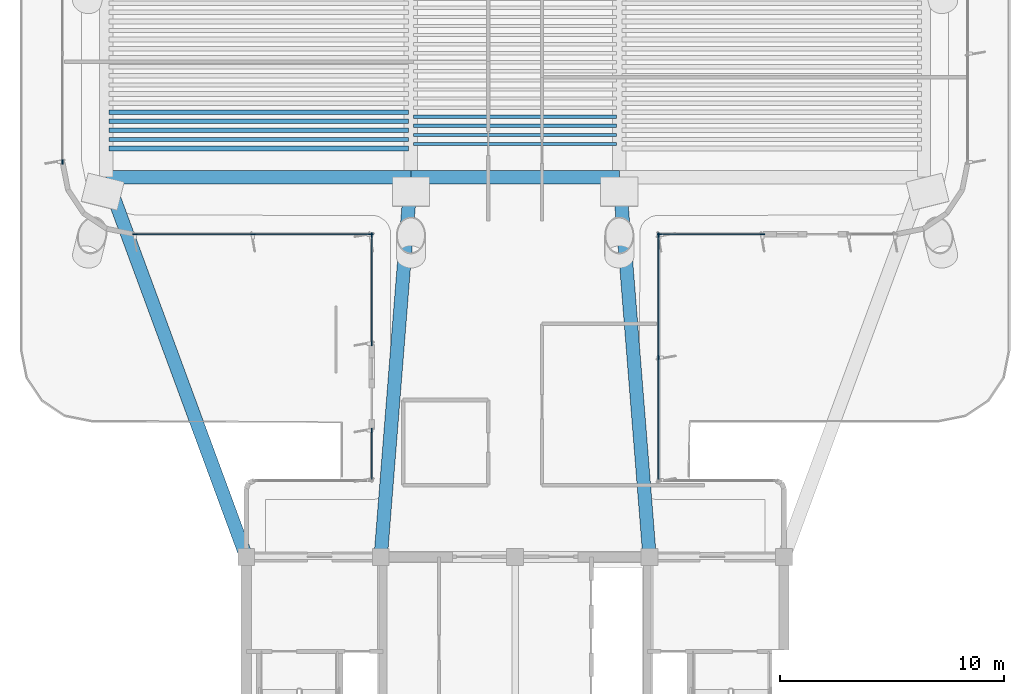
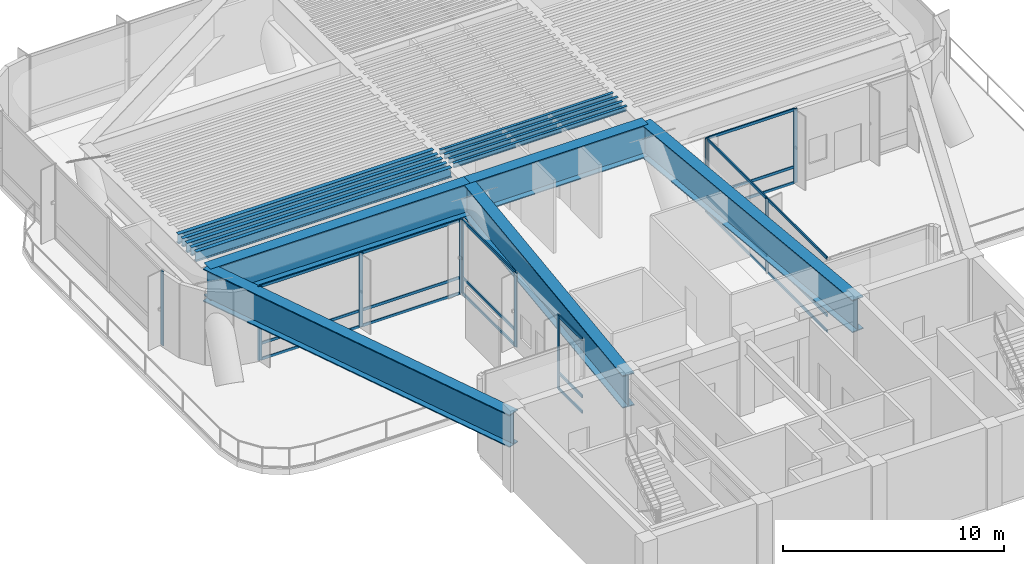
# One storey, part 3 of 13: 32 members, 14 beams, 6 elements without a shape of their own.
"""IFC4 building model written with IfcOpenShell, lengths in metres."""

from ifc_helpers import new_model, si_unit, direction, frame, origin, origin_2d, place, context, subcontext, project, spatial, rectangle, i_section, extrude, source, transform, mapped, material, layer, layer_set, material_profile, profile_set, type_object, element, aggregate, save


model = new_model("IFC4")

# Units and contexts
model_context = context("Model", 3, precision=1e-05, world=origin(), true_north=direction((0.0, 1.0)))
body_context = subcontext(model_context, "Body", "Model", "MODEL_VIEW")
ifc_project = project(units=[si_unit("LENGTHUNIT", "METRE"), si_unit("AREAUNIT", "SQUARE_METRE"), si_unit("VOLUMEUNIT", "CUBIC_METRE"), si_unit("PLANEANGLEUNIT", "RADIAN"), si_unit("MASSUNIT", "GRAM", prefix="KILO")], contexts=[model_context])

# Site, building, storey
site_placement = place(None, origin())
site = spatial("IfcSite", under=ifc_project, at=site_placement, CompositionType="ELEMENT")
building_placement = place(site_placement, origin())
building = spatial("IfcBuilding", under=site, at=building_placement, Name="Brelvock Crest Care Tower", CompositionType="ELEMENT")
storey_placement = place(building_placement, frame((0.0, 0.0, 151.919921875)))
storey = spatial("IfcBuildingStorey", under=building, at=storey_placement, Name="L38", CompositionType="ELEMENT", Elevation=151.919921875)

# Beams
ifc_material_1 = material(Name="Steel Grade 350", Category="steel")
ifc_material_profile_1 = material_profile(ifc_material_1, i_section(OverallWidth=0.60009765625, OverallDepth=1.800048828125, WebThickness=0.028076171875, FlangeThickness=0.052001953125, at=origin_2d()), Name="1800TG740")
ifc_profile_set_1 = profile_set([ifc_material_profile_1], Name="Steel Grade 350")
beam_type_1 = type_object("IfcBeamType", Name="BM-TG1", PredefinedType="USERDEFINED", material=ifc_profile_set_1)
shared_shape_1 = source(origin(), body_context, "Body", "SweptSolid", [
    extrude(i_section(OverallWidth=0.60009765625, OverallDepth=1.800048828125, WebThickness=0.028076171875, FlangeThickness=0.052001953125, at=origin_2d()), origin(), (0.0, 0.0, 1.0), 9.2998046875),
])
beam_1_placement = place(storey_placement, frame((31.35009765625, 34.949951171875, 3.192138671875), z_axis=(1.0, 0.0, 0.0), x_axis=(0.0, 1.0, 0.0)))
element("IfcBeam", 1, at=beam_1_placement, inside=storey, type_object=beam_type_1, Name="BM-TWR-L38-05", ObjectType="GIRDER", PredefinedType="USERDEFINED", context=body_context, shape_type="MappedRepresentation", body=[
    mapped(shared_shape_1, transform((0.0, 0.0, 0.0), x_axis=(1.0, 0.0, 0.0), y_axis=(0.0, 1.0, 0.0), z_axis=(0.0, 0.0, 1.0), scale=1.0)),
])
ifc_material_profile_2 = material_profile(ifc_material_1, i_section(OverallWidth=0.14599609375, OverallDepth=0.256103515625, WebThickness=0.00634765625, FlangeThickness=0.010986328125, FilletRadius=0.0087890625, at=origin_2d()), Name="250UB37.3")
ifc_profile_set_2 = profile_set([ifc_material_profile_2], Name="Steel Grade 350")
beam_type_2 = type_object("IfcBeamType", Name="BM-J3", PredefinedType="JOIST", material=ifc_profile_set_2)
shared_shape_2 = source(origin(), body_context, "Body", "SweptSolid", [
    extrude(i_section(OverallWidth=0.14599609375, OverallDepth=0.256103515625, WebThickness=0.00634765625, FlangeThickness=0.010986328125, FilletRadius=0.0087890625, at=origin_2d()), origin(), (0.0, 0.0, 1.0), 9.06982421875),
])
for number, where, z_axis, x_axis, name in (
    (2, (31.465087890625, 36.42919921875, 3.964111328125), (1.0, 0.0, 0.0), (0.0, 1.0, 0.0), "BM-JH-L38-3"),
    (3, (31.465087890625, 36.834228515625, 3.964111328125), (1.0, 0.0, 0.0), (0.0, 1.0, 0.0), "BM-JH-L38-4"),
    (4, (31.465087890625, 37.239501953125, 3.964111328125), (1.0, 0.0, 0.0), (0.0, 1.0, 0.0), "BM-JH-L38-5"),
    (5, (31.465087890625, 37.64453125, 3.964111328125), (1.0, 0.0, 0.0), (0.0, 1.0, 0.0), "BM-JH-L38-6"),
):
    element("IfcBeam", number, at=place(storey_placement, frame(where, z_axis=z_axis, x_axis=x_axis)), inside=storey, type_object=beam_type_2, Name=name, PredefinedType="JOIST", context=body_context, shape_type="MappedRepresentation", body=[
        mapped(shared_shape_2, transform((0.0, 0.0, 0.0), x_axis=(1.0, 0.0, 0.0), y_axis=(0.0, 1.0, 0.0), z_axis=(0.0, 0.0, 1.0), scale=1.0)),
    ])
shared_shape_3 = source(origin(), body_context, "Body", "SweptSolid", [
    extrude(i_section(OverallWidth=0.60009765625, OverallDepth=1.800048828125, WebThickness=0.028076171875, FlangeThickness=0.052001953125, at=origin_2d()), origin(), (0.0, 0.0, 1.0), 13.60009765625),
])
beam_2_placement = place(storey_placement, frame((17.75, 34.949951171875, 3.192138671875), z_axis=(1.0, 0.0, 0.0), x_axis=(0.0, 1.0, 0.0)))
element("IfcBeam", 6, at=beam_2_placement, inside=storey, type_object=beam_type_1, Name="BM-TWR-L38-03", ObjectType="GIRDER", PredefinedType="USERDEFINED", context=body_context, shape_type="MappedRepresentation", body=[
    mapped(shared_shape_3, transform((0.0, 0.0, 0.0), x_axis=(1.0, 0.0, 0.0), y_axis=(0.0, 1.0, 0.0), z_axis=(0.0, 0.0, 1.0), scale=1.0)),
])
shared_shape_4 = source(origin(), body_context, "Body", "SweptSolid", [
    extrude(i_section(OverallWidth=0.60009765625, OverallDepth=1.800048828125, WebThickness=0.028076171875, FlangeThickness=0.052001953125, at=origin_2d()), origin(), (0.0, 0.0, 1.0), 17.003662109375),
])
for number, where, z_axis, x_axis, name in (
    (7, (30.0, 18.0, 3.192138671875), (0.079400530776, 0.996842793881, 0.0), (-0.996842793881, 0.079400530776, 0.0), "BM-THRW-L38"),
    (8, (42.0, 18.0, 3.192138671875), (-0.079400530776, 0.996842793881, 0.0), (-0.996842793881, -0.079400530776, 0.0), "BM-THRE-L38"),
):
    element("IfcBeam", number, at=place(storey_placement, frame(where, z_axis=z_axis, x_axis=x_axis)), inside=storey, type_object=beam_type_1, Name=name, ObjectType="GIRDER", PredefinedType="USERDEFINED", context=body_context, shape_type="MappedRepresentation", body=[
        mapped(shared_shape_4, transform((0.0, 0.0, 0.0), x_axis=(1.0, 0.0, 0.0), y_axis=(0.0, 1.0, 0.0), z_axis=(0.0, 0.0, 1.0), scale=1.0)),
    ])
shared_shape_5 = source(origin(), body_context, "Body", "SweptSolid", [
    extrude(i_section(OverallWidth=0.60009765625, OverallDepth=1.800048828125, WebThickness=0.028076171875, FlangeThickness=0.052001953125, at=origin_2d()), origin(), (0.0, 0.0, 1.0), 18.0654296875),
])
beam_3_placement = place(storey_placement, frame((24.0, 18.0, 3.192138671875), z_axis=(-0.345962741309, 0.938248251597, 0.0), x_axis=(-0.938248251597, -0.345962741309, 0.0)))
element("IfcBeam", 9, at=beam_3_placement, inside=storey, type_object=beam_type_1, Name="BM-THRO-W-L38", ObjectType="GIRDER", PredefinedType="USERDEFINED", context=body_context, shape_type="MappedRepresentation", body=[
    mapped(shared_shape_5, transform((0.0, 0.0, 0.0), x_axis=(1.0, 0.0, 0.0), y_axis=(0.0, 1.0, 0.0), z_axis=(0.0, 0.0, 1.0), scale=1.0)),
])
ifc_material_profile_3 = material_profile(ifc_material_1, i_section(OverallWidth=0.208984375, OverallDepth=0.532958984375, WebThickness=0.01025390625, FlangeThickness=0.015625, FilletRadius=0.013916015625, at=origin_2d()), Name="530UB92.4")
ifc_profile_set_3 = profile_set([ifc_material_profile_3], Name="Steel Grade 350")
beam_type_3 = type_object("IfcBeamType", Name="BM-G2", PredefinedType="BEAM", material=ifc_profile_set_3)
shared_shape_6 = source(origin(), body_context, "Body", "SweptSolid", [
    extrude(i_section(OverallWidth=0.208984375, OverallDepth=0.532958984375, WebThickness=0.01025390625, FlangeThickness=0.015625, FilletRadius=0.013916015625, at=origin_2d()), origin(), (0.0, 0.0, 1.0), 13.3701171875),
])
for number, where, z_axis, x_axis, name in (
    (10, (17.864990234375, 36.2265625, 3.82568359375), (1.0, 0.0, 0.0), (0.0, 1.0, 0.0), "BM-JW-L38-3"),
    (11, (17.864990234375, 37.036865234375, 3.82568359375), (1.0, 0.0, 0.0), (0.0, 1.0, 0.0), "BM-JW-L38-5"),
    (12, (17.864990234375, 37.84716796875, 3.82568359375), (1.0, 0.0, 0.0), (0.0, 1.0, 0.0), "BM-JW-L38-7"),
):
    element("IfcBeam", number, at=place(storey_placement, frame(where, z_axis=z_axis, x_axis=x_axis)), inside=storey, type_object=beam_type_3, Name=name, PredefinedType="BEAM", context=body_context, shape_type="MappedRepresentation", body=[
        mapped(shared_shape_6, transform((0.0, 0.0, 0.0), x_axis=(1.0, 0.0, 0.0), y_axis=(0.0, 1.0, 0.0), z_axis=(0.0, 0.0, 1.0), scale=1.0)),
    ])
ifc_material_profile_4 = material_profile(ifc_material_1, i_section(OverallWidth=0.19091796875, OverallDepth=0.4599609375, WebThickness=0.010009765625, FlangeThickness=0.01611328125, FilletRadius=0.011474609375, at=origin_2d()), Name="460UB82.1")
ifc_profile_set_4 = profile_set([ifc_material_profile_4], Name="Steel Grade 350")
beam_type_4 = type_object("IfcBeamType", Name="BM-G3", PredefinedType="BEAM", material=ifc_profile_set_4)
shared_shape_7 = source(origin(), body_context, "Body", "SweptSolid", [
    extrude(i_section(OverallWidth=0.19091796875, OverallDepth=0.4599609375, WebThickness=0.010009765625, FlangeThickness=0.01611328125, FilletRadius=0.011474609375, at=origin_2d()), origin(), (0.0, 0.0, 1.0), 13.3701171875),
])
for number, where, z_axis, x_axis, name in (
    (13, (17.864990234375, 36.631591796875, 3.862060546875), (1.0, 0.0, 0.0), (0.0, 1.0, 0.0), "BM-JW-L38-4"),
    (14, (17.864990234375, 37.44189453125, 3.862060546875), (1.0, 0.0, 0.0), (0.0, 1.0, 0.0), "BM-JW-L38-6"),
):
    element("IfcBeam", number, at=place(storey_placement, frame(where, z_axis=z_axis, x_axis=x_axis)), inside=storey, type_object=beam_type_4, Name=name, PredefinedType="BEAM", context=body_context, shape_type="MappedRepresentation", body=[
        mapped(shared_shape_7, transform((0.0, 0.0, 0.0), x_axis=(1.0, 0.0, 0.0), y_axis=(0.0, 1.0, 0.0), z_axis=(0.0, 0.0, 1.0), scale=1.0)),
    ])

# Curtain wall, member
ifc_material_2 = material(Name="Dark Glass Double Glazed Low-E", Category="glass")
ifc_layer = layer(ifc_material_2, 0.2548828125, Name="CWS-6")
ifc_layer_set = layer_set([ifc_layer], Name="Dark Glass Double Glazed Low-E")
curtain_wall_type = type_object("IfcCurtainWallType", Name="CWS-6", PredefinedType="NOTDEFINED", material=ifc_layer_set)
curtain_wall_1_placement = place(storey_placement, origin())
curtain_wall_1 = element("IfcCurtainWall", 15, at=curtain_wall_1_placement, inside=storey, type_object=curtain_wall_type, Name="L38 Curtain Wall E11A", PredefinedType="NOTDEFINED")
ifc_material_3 = material(Name="Aluminium 6063-T6", Category="aluminium")
ifc_material_profile_5 = material_profile(ifc_material_3, rectangle(XDim=0.06494140625, YDim=0.199951171875, at=origin_2d()), Name="ALU65x200")
ifc_profile_set_5 = profile_set([ifc_material_profile_5], Name="Aluminium 6063-T6")
member_type_1 = type_object("IfcMemberType", Name="CWM-1", PredefinedType="MULLION", material=ifc_profile_set_5)
shared_shape_8 = source(origin(), body_context, "Body", "SweptSolid", [
    extrude(rectangle(XDim=0.06494140625, YDim=0.199951171875, at=origin_2d()), origin(), (0.0, 0.0, 1.0), 4.092041015625),
])
member_1_placement = place(storey_placement, frame((29.60009765625, 23.6474609375, 0.0), z_axis=(0.0, 0.0, 1.0), x_axis=(-1.0, 0.0, 0.0)))
member_1 = element("IfcMember", 16, at=member_1_placement, type_object=member_type_1, Name="CW-6 mullion 2", PredefinedType="MULLION", context=body_context, shape_type="MappedRepresentation", body=[
    mapped(shared_shape_8, transform((0.0, 0.0, 0.0), x_axis=(1.0, 0.0, 0.0), y_axis=(0.0, 1.0, 0.0), z_axis=(0.0, 0.0, 1.0), scale=1.0)),
])

# Curtain wall, members
curtain_wall_2_placement = place(storey_placement, origin())
curtain_wall_2 = element("IfcCurtainWall", 17, at=curtain_wall_2_placement, inside=storey, type_object=curtain_wall_type, Name="L38 Curtain Wall E11B", PredefinedType="NOTDEFINED")
member_2_placement = place(storey_placement, frame((29.60009765625, 27.512451171875, 0.0), z_axis=(0.0, 0.0, 1.0), x_axis=(-1.0, 0.0, 0.0)))
member_2 = element("IfcMember", 18, at=member_2_placement, type_object=member_type_1, Name="CW-6 mullion 1", PredefinedType="MULLION", context=body_context, shape_type="MappedRepresentation", body=[
    mapped(shared_shape_8, transform((0.0, 0.0, 0.0), x_axis=(1.0, 0.0, 0.0), y_axis=(0.0, 1.0, 0.0), z_axis=(0.0, 0.0, 1.0), scale=1.0)),
])
member_3_placement = place(storey_placement, frame((29.60009765625, 32.367431640625, 0.0), z_axis=(0.0, 0.0, 1.0), x_axis=(-1.0, 0.0, 0.0)))
member_3 = element("IfcMember", 19, at=member_3_placement, type_object=member_type_1, Name="CW-6 mullion 2", PredefinedType="MULLION", context=body_context, shape_type="MappedRepresentation", body=[
    mapped(shared_shape_8, transform((0.0, 0.0, 0.0), x_axis=(1.0, 0.0, 0.0), y_axis=(0.0, 1.0, 0.0), z_axis=(0.0, 0.0, 1.0), scale=1.0)),
])

curtain_wall_3_placement = place(storey_placement, origin())
curtain_wall_3 = element("IfcCurtainWall", 20, at=curtain_wall_3_placement, inside=storey, type_object=curtain_wall_type, Name="L38 Curtain Wall E12", PredefinedType="NOTDEFINED")
member_4_placement = place(storey_placement, frame((29.5673828125, 32.39990234375, 0.0), z_axis=(0.0, 0.0, 1.0), x_axis=(0.0, -1.0, 0.0)))
member_4 = element("IfcMember", 21, at=member_4_placement, type_object=member_type_1, Name="CW-6 mullion 1", PredefinedType="MULLION", context=body_context, shape_type="MappedRepresentation", body=[
    mapped(shared_shape_8, transform((0.0, 0.0, 0.0), x_axis=(1.0, 0.0, 0.0), y_axis=(0.0, 1.0, 0.0), z_axis=(0.0, 0.0, 1.0), scale=1.0)),
])
member_5_placement = place(storey_placement, frame((24.300048828125, 32.39990234375, 0.0), z_axis=(0.0, 0.0, 1.0), x_axis=(0.0, -1.0, 0.0)))
member_5 = element("IfcMember", 22, at=member_5_placement, type_object=member_type_1, Name="CW-6 mullion 2", PredefinedType="MULLION", context=body_context, shape_type="MappedRepresentation", body=[
    mapped(shared_shape_8, transform((0.0, 0.0, 0.0), x_axis=(1.0, 0.0, 0.0), y_axis=(0.0, 1.0, 0.0), z_axis=(0.0, 0.0, 1.0), scale=1.0)),
])
member_6_placement = place(storey_placement, frame((19.032470703125, 32.39990234375, 0.0), z_axis=(0.0, 0.0, 1.0), x_axis=(0.0, -1.0, 0.0)))
member_6 = element("IfcMember", 23, at=member_6_placement, type_object=member_type_1, Name="CW-6 mullion 3", PredefinedType="MULLION", context=body_context, shape_type="MappedRepresentation", body=[
    mapped(shared_shape_8, transform((0.0, 0.0, 0.0), x_axis=(1.0, 0.0, 0.0), y_axis=(0.0, 1.0, 0.0), z_axis=(0.0, 0.0, 1.0), scale=1.0)),
])

# Curtain wall, member
curtain_wall_4_placement = place(storey_placement, origin())
curtain_wall_4 = element("IfcCurtainWall", 24, at=curtain_wall_4_placement, inside=storey, type_object=curtain_wall_type, Name="L38 Curtain Wall E17", PredefinedType="NOTDEFINED")
member_7_placement = place(storey_placement, frame((15.800048828125, 35.632568359375, 0.0), z_axis=(0.0, 0.0, 1.0), x_axis=(-1.0, 0.0, 0.0)))
member_7 = element("IfcMember", 25, at=member_7_placement, type_object=member_type_1, Name="CW-6 mullion 1", PredefinedType="MULLION", context=body_context, shape_type="MappedRepresentation", body=[
    mapped(shared_shape_8, transform((0.0, 0.0, 0.0), x_axis=(1.0, 0.0, 0.0), y_axis=(0.0, 1.0, 0.0), z_axis=(0.0, 0.0, 1.0), scale=1.0)),
])
aggregate(curtain_wall_4, [member_7])

# Curtain wall, members
curtain_wall_5_placement = place(storey_placement, origin())
curtain_wall_5 = element("IfcCurtainWall", 26, at=curtain_wall_5_placement, inside=storey, type_object=curtain_wall_type, Name="L38 Curtain Wall E44B", PredefinedType="NOTDEFINED")
member_8_placement = place(storey_placement, frame((47.03955078125, 32.39990234375, 0.0), z_axis=(0.0, 0.0, 1.0), x_axis=(0.0, -1.0, 0.0)))
member_8 = element("IfcMember", 27, at=member_8_placement, type_object=member_type_1, Name="CW-6 mullion 1", PredefinedType="MULLION", context=body_context, shape_type="MappedRepresentation", body=[
    mapped(shared_shape_8, transform((0.0, 0.0, 0.0), x_axis=(1.0, 0.0, 0.0), y_axis=(0.0, 1.0, 0.0), z_axis=(0.0, 0.0, 1.0), scale=1.0)),
])
member_9_placement = place(storey_placement, frame((42.4326171875, 32.39990234375, 0.0), z_axis=(0.0, 0.0, 1.0), x_axis=(0.0, -1.0, 0.0)))
member_9 = element("IfcMember", 28, at=member_9_placement, type_object=member_type_1, Name="CW-6 mullion 2", PredefinedType="MULLION", context=body_context, shape_type="MappedRepresentation", body=[
    mapped(shared_shape_8, transform((0.0, 0.0, 0.0), x_axis=(1.0, 0.0, 0.0), y_axis=(0.0, 1.0, 0.0), z_axis=(0.0, 0.0, 1.0), scale=1.0)),
])

curtain_wall_6_placement = place(storey_placement, origin())
curtain_wall_6 = element("IfcCurtainWall", 29, at=curtain_wall_6_placement, inside=storey, type_object=curtain_wall_type, Name="L38 Curtain Wall E45", PredefinedType="NOTDEFINED")
member_10_placement = place(storey_placement, frame((42.39990234375, 32.367431640625, 0.0), z_axis=(0.0, 0.0, 1.0), x_axis=(1.0, 0.0, 0.0)))
member_10 = element("IfcMember", 30, at=member_10_placement, type_object=member_type_1, Name="CW-6 mullion 1", PredefinedType="MULLION", context=body_context, shape_type="MappedRepresentation", body=[
    mapped(shared_shape_8, transform((0.0, 0.0, 0.0), x_axis=(1.0, 0.0, 0.0), y_axis=(0.0, 1.0, 0.0), z_axis=(0.0, 0.0, 1.0), scale=1.0)),
])
member_11_placement = place(storey_placement, frame((42.39990234375, 26.89990234375, 0.0), z_axis=(0.0, 0.0, 1.0), x_axis=(1.0, 0.0, 0.0)))
member_11 = element("IfcMember", 31, at=member_11_placement, type_object=member_type_1, Name="CW-6 mullion 2", PredefinedType="MULLION", context=body_context, shape_type="MappedRepresentation", body=[
    mapped(shared_shape_8, transform((0.0, 0.0, 0.0), x_axis=(1.0, 0.0, 0.0), y_axis=(0.0, 1.0, 0.0), z_axis=(0.0, 0.0, 1.0), scale=1.0)),
])

# Member
ifc_material_profile_6 = material_profile(ifc_material_3, rectangle(XDim=0.06494140625, YDim=0.14990234375, at=origin_2d()), Name="ALU65x150")
ifc_profile_set_6 = profile_set([ifc_material_profile_6], Name="Aluminium 6063-T6")
member_type_2 = type_object("IfcMemberType", Name="CWT-1", PredefinedType="USERDEFINED", material=ifc_profile_set_6)
shared_shape_9 = source(origin(), body_context, "Body", "SweptSolid", [
    extrude(rectangle(XDim=0.06494140625, YDim=0.14990234375, at=origin_2d()), origin(), (0.0, 0.0, 1.0), 2.14990234375),
])
member_12_placement = place(storey_placement, frame((29.60009765625, 21.465087890625, 0.032470703125), z_axis=(0.0, 1.0, 0.0), x_axis=(-1.0, 0.0, 0.0)))
member_12 = element("IfcMember", 32, at=member_12_placement, type_object=member_type_2, Name="CW-6 transom 1.1", ObjectType="TRANSOM", PredefinedType="USERDEFINED", context=body_context, shape_type="MappedRepresentation", body=[
    mapped(shared_shape_9, transform((0.0, 0.0, 0.0), x_axis=(1.0, 0.0, 0.0), y_axis=(0.0, 1.0, 0.0), z_axis=(0.0, 0.0, 1.0), scale=1.0)),
])

member_13_placement = place(storey_placement, frame((29.60009765625, 21.465087890625, 0.900146484375), z_axis=(0.0, 1.0, 0.0), x_axis=(-1.0, 0.0, 0.0)))
member_13 = element("IfcMember", 33, at=member_13_placement, type_object=member_type_2, Name="CW-6 transom 1.2", ObjectType="TRANSOM", PredefinedType="USERDEFINED", context=body_context, shape_type="MappedRepresentation", body=[
    mapped(shared_shape_9, transform((0.0, 0.0, 0.0), x_axis=(1.0, 0.0, 0.0), y_axis=(0.0, 1.0, 0.0), z_axis=(0.0, 0.0, 1.0), scale=1.0)),
])

member_14_placement = place(storey_placement, frame((29.60009765625, 21.465087890625, 4.0595703125), z_axis=(0.0, 1.0, 0.0), x_axis=(-1.0, 0.0, 0.0)))
member_14 = element("IfcMember", 34, at=member_14_placement, type_object=member_type_2, Name="CW-6 transom 1.3", ObjectType="TRANSOM", PredefinedType="USERDEFINED", context=body_context, shape_type="MappedRepresentation", body=[
    mapped(shared_shape_9, transform((0.0, 0.0, 0.0), x_axis=(1.0, 0.0, 0.0), y_axis=(0.0, 1.0, 0.0), z_axis=(0.0, 0.0, 1.0), scale=1.0)),
])

aggregate(curtain_wall_1, [member_1, member_12, member_13, member_14])

shared_shape_10 = source(origin(), body_context, "Body", "SweptSolid", [
    extrude(rectangle(XDim=0.06494140625, YDim=0.14990234375, at=origin_2d()), origin(), (0.0, 0.0, 1.0), 4.7900390625),
])
member_15_placement = place(storey_placement, frame((29.60009765625, 27.544921875, 0.032470703125), z_axis=(0.0, 1.0, 0.0), x_axis=(-1.0, 0.0, 0.0)))
member_15 = element("IfcMember", 35, at=member_15_placement, type_object=member_type_2, Name="CW-6 transom 1.1", ObjectType="TRANSOM", PredefinedType="USERDEFINED", context=body_context, shape_type="MappedRepresentation", body=[
    mapped(shared_shape_10, transform((0.0, 0.0, 0.0), x_axis=(1.0, 0.0, 0.0), y_axis=(0.0, 1.0, 0.0), z_axis=(0.0, 0.0, 1.0), scale=1.0)),
])

member_16_placement = place(storey_placement, frame((29.60009765625, 27.544921875, 0.900146484375), z_axis=(0.0, 1.0, 0.0), x_axis=(-1.0, 0.0, 0.0)))
member_16 = element("IfcMember", 36, at=member_16_placement, type_object=member_type_2, Name="CW-6 transom 1.2", ObjectType="TRANSOM", PredefinedType="USERDEFINED", context=body_context, shape_type="MappedRepresentation", body=[
    mapped(shared_shape_10, transform((0.0, 0.0, 0.0), x_axis=(1.0, 0.0, 0.0), y_axis=(0.0, 1.0, 0.0), z_axis=(0.0, 0.0, 1.0), scale=1.0)),
])

member_17_placement = place(storey_placement, frame((29.60009765625, 27.544921875, 4.0595703125), z_axis=(0.0, 1.0, 0.0), x_axis=(-1.0, 0.0, 0.0)))
member_17 = element("IfcMember", 37, at=member_17_placement, type_object=member_type_2, Name="CW-6 transom 1.3", ObjectType="TRANSOM", PredefinedType="USERDEFINED", context=body_context, shape_type="MappedRepresentation", body=[
    mapped(shared_shape_10, transform((0.0, 0.0, 0.0), x_axis=(1.0, 0.0, 0.0), y_axis=(0.0, 1.0, 0.0), z_axis=(0.0, 0.0, 1.0), scale=1.0)),
])

aggregate(curtain_wall_2, [member_2, member_3, member_15, member_16, member_17])

shared_shape_11 = source(origin(), body_context, "Body", "SweptSolid", [
    extrude(rectangle(XDim=0.06494140625, YDim=0.14990234375, at=origin_2d()), origin(), (0.0, 0.0, 1.0), 5.202392578125),
])
member_18_placement = place(storey_placement, frame((29.534912109375, 32.39990234375, 0.032470703125), z_axis=(-1.0, 0.0, 0.0), x_axis=(0.0, -1.0, 0.0)))
member_18 = element("IfcMember", 38, at=member_18_placement, type_object=member_type_2, Name="CW-6 transom 1.1", ObjectType="TRANSOM", PredefinedType="USERDEFINED", context=body_context, shape_type="MappedRepresentation", body=[
    mapped(shared_shape_11, transform((0.0, 0.0, 0.0), x_axis=(1.0, 0.0, 0.0), y_axis=(0.0, 1.0, 0.0), z_axis=(0.0, 0.0, 1.0), scale=1.0)),
])

member_19_placement = place(storey_placement, frame((29.534912109375, 32.39990234375, 0.900146484375), z_axis=(-1.0, 0.0, 0.0), x_axis=(0.0, -1.0, 0.0)))
member_19 = element("IfcMember", 39, at=member_19_placement, type_object=member_type_2, Name="CW-6 transom 1.2", ObjectType="TRANSOM", PredefinedType="USERDEFINED", context=body_context, shape_type="MappedRepresentation", body=[
    mapped(shared_shape_11, transform((0.0, 0.0, 0.0), x_axis=(1.0, 0.0, 0.0), y_axis=(0.0, 1.0, 0.0), z_axis=(0.0, 0.0, 1.0), scale=1.0)),
])

member_20_placement = place(storey_placement, frame((29.534912109375, 32.39990234375, 4.0595703125), z_axis=(-1.0, 0.0, 0.0), x_axis=(0.0, -1.0, 0.0)))
member_20 = element("IfcMember", 40, at=member_20_placement, type_object=member_type_2, Name="CW-6 transom 1.3", ObjectType="TRANSOM", PredefinedType="USERDEFINED", context=body_context, shape_type="MappedRepresentation", body=[
    mapped(shared_shape_11, transform((0.0, 0.0, 0.0), x_axis=(1.0, 0.0, 0.0), y_axis=(0.0, 1.0, 0.0), z_axis=(0.0, 0.0, 1.0), scale=1.0)),
])

shared_shape_12 = source(origin(), body_context, "Body", "SweptSolid", [
    extrude(rectangle(XDim=0.06494140625, YDim=0.14990234375, at=origin_2d()), origin(), (0.0, 0.0, 1.0), 5.20263671875),
])
member_21_placement = place(storey_placement, frame((24.267578125, 32.39990234375, 0.032470703125), z_axis=(-1.0, 0.0, 0.0), x_axis=(0.0, -1.0, 0.0)))
member_21 = element("IfcMember", 41, at=member_21_placement, type_object=member_type_2, Name="CW-6 transom 2.1", ObjectType="TRANSOM", PredefinedType="USERDEFINED", context=body_context, shape_type="MappedRepresentation", body=[
    mapped(shared_shape_12, transform((0.0, 0.0, 0.0), x_axis=(1.0, 0.0, 0.0), y_axis=(0.0, 1.0, 0.0), z_axis=(0.0, 0.0, 1.0), scale=1.0)),
])

member_22_placement = place(storey_placement, frame((24.267578125, 32.39990234375, 0.900146484375), z_axis=(-1.0, 0.0, 0.0), x_axis=(0.0, -1.0, 0.0)))
member_22 = element("IfcMember", 42, at=member_22_placement, type_object=member_type_2, Name="CW-6 transom 2.2", ObjectType="TRANSOM", PredefinedType="USERDEFINED", context=body_context, shape_type="MappedRepresentation", body=[
    mapped(shared_shape_12, transform((0.0, 0.0, 0.0), x_axis=(1.0, 0.0, 0.0), y_axis=(0.0, 1.0, 0.0), z_axis=(0.0, 0.0, 1.0), scale=1.0)),
])

member_23_placement = place(storey_placement, frame((24.267578125, 32.39990234375, 4.0595703125), z_axis=(-1.0, 0.0, 0.0), x_axis=(0.0, -1.0, 0.0)))
member_23 = element("IfcMember", 43, at=member_23_placement, type_object=member_type_2, Name="CW-6 transom 2.3", ObjectType="TRANSOM", PredefinedType="USERDEFINED", context=body_context, shape_type="MappedRepresentation", body=[
    mapped(shared_shape_12, transform((0.0, 0.0, 0.0), x_axis=(1.0, 0.0, 0.0), y_axis=(0.0, 1.0, 0.0), z_axis=(0.0, 0.0, 1.0), scale=1.0)),
])

aggregate(curtain_wall_3, [member_4, member_5, member_6, member_18, member_19, member_20, member_21, member_22, member_23])

shared_shape_13 = source(origin(), body_context, "Body", "SweptSolid", [
    extrude(rectangle(XDim=0.06494140625, YDim=0.14990234375, at=origin_2d()), origin(), (0.0, 0.0, 1.0), 4.5419921875),
])
member_24_placement = place(storey_placement, frame((47.007080078125, 32.39990234375, 0.032470703125), z_axis=(-1.0, 0.0, 0.0), x_axis=(0.0, -1.0, 0.0)))
member_24 = element("IfcMember", 44, at=member_24_placement, type_object=member_type_2, Name="CW-6 transom 1.1", ObjectType="TRANSOM", PredefinedType="USERDEFINED", context=body_context, shape_type="MappedRepresentation", body=[
    mapped(shared_shape_13, transform((0.0, 0.0, 0.0), x_axis=(1.0, 0.0, 0.0), y_axis=(0.0, 1.0, 0.0), z_axis=(0.0, 0.0, 1.0), scale=1.0)),
])

member_25_placement = place(storey_placement, frame((47.007080078125, 32.39990234375, 0.900146484375), z_axis=(-1.0, 0.0, 0.0), x_axis=(0.0, -1.0, 0.0)))
member_25 = element("IfcMember", 45, at=member_25_placement, type_object=member_type_2, Name="CW-6 transom 1.2", ObjectType="TRANSOM", PredefinedType="USERDEFINED", context=body_context, shape_type="MappedRepresentation", body=[
    mapped(shared_shape_13, transform((0.0, 0.0, 0.0), x_axis=(1.0, 0.0, 0.0), y_axis=(0.0, 1.0, 0.0), z_axis=(0.0, 0.0, 1.0), scale=1.0)),
])

member_26_placement = place(storey_placement, frame((47.007080078125, 32.39990234375, 4.0595703125), z_axis=(-1.0, 0.0, 0.0), x_axis=(0.0, -1.0, 0.0)))
member_26 = element("IfcMember", 46, at=member_26_placement, type_object=member_type_2, Name="CW-6 transom 1.3", ObjectType="TRANSOM", PredefinedType="USERDEFINED", context=body_context, shape_type="MappedRepresentation", body=[
    mapped(shared_shape_13, transform((0.0, 0.0, 0.0), x_axis=(1.0, 0.0, 0.0), y_axis=(0.0, 1.0, 0.0), z_axis=(0.0, 0.0, 1.0), scale=1.0)),
])

aggregate(curtain_wall_5, [member_8, member_9, member_24, member_25, member_26])

shared_shape_14 = source(origin(), body_context, "Body", "SweptSolid", [
    extrude(rectangle(XDim=0.06494140625, YDim=0.14990234375, at=origin_2d()), origin(), (0.0, 0.0, 1.0), 5.40234375),
])
member_27_placement = place(storey_placement, frame((42.39990234375, 32.3349609375, 0.032470703125), z_axis=(0.0, -1.0, 0.0), x_axis=(1.0, 0.0, 0.0)))
member_27 = element("IfcMember", 47, at=member_27_placement, type_object=member_type_2, Name="CW-6 transom 1.1", ObjectType="TRANSOM", PredefinedType="USERDEFINED", context=body_context, shape_type="MappedRepresentation", body=[
    mapped(shared_shape_14, transform((0.0, 0.0, 0.0), x_axis=(1.0, 0.0, 0.0), y_axis=(0.0, 1.0, 0.0), z_axis=(0.0, 0.0, 1.0), scale=1.0)),
])

member_28_placement = place(storey_placement, frame((42.39990234375, 32.3349609375, 0.900146484375), z_axis=(0.0, -1.0, 0.0), x_axis=(1.0, 0.0, 0.0)))
member_28 = element("IfcMember", 48, at=member_28_placement, type_object=member_type_2, Name="CW-6 transom 1.2", ObjectType="TRANSOM", PredefinedType="USERDEFINED", context=body_context, shape_type="MappedRepresentation", body=[
    mapped(shared_shape_14, transform((0.0, 0.0, 0.0), x_axis=(1.0, 0.0, 0.0), y_axis=(0.0, 1.0, 0.0), z_axis=(0.0, 0.0, 1.0), scale=1.0)),
])

member_29_placement = place(storey_placement, frame((42.39990234375, 32.3349609375, 4.0595703125), z_axis=(0.0, -1.0, 0.0), x_axis=(1.0, 0.0, 0.0)))
member_29 = element("IfcMember", 49, at=member_29_placement, type_object=member_type_2, Name="CW-6 transom 1.3", ObjectType="TRANSOM", PredefinedType="USERDEFINED", context=body_context, shape_type="MappedRepresentation", body=[
    mapped(shared_shape_14, transform((0.0, 0.0, 0.0), x_axis=(1.0, 0.0, 0.0), y_axis=(0.0, 1.0, 0.0), z_axis=(0.0, 0.0, 1.0), scale=1.0)),
])

member_30_placement = place(storey_placement, frame((42.39990234375, 26.867431640625, 0.032470703125), z_axis=(0.0, -1.0, 0.0), x_axis=(1.0, 0.0, 0.0)))
member_30 = element("IfcMember", 50, at=member_30_placement, type_object=member_type_2, Name="CW-6 transom 2.1", ObjectType="TRANSOM", PredefinedType="USERDEFINED", context=body_context, shape_type="MappedRepresentation", body=[
    mapped(shared_shape_14, transform((0.0, 0.0, 0.0), x_axis=(1.0, 0.0, 0.0), y_axis=(0.0, 1.0, 0.0), z_axis=(0.0, 0.0, 1.0), scale=1.0)),
])

member_31_placement = place(storey_placement, frame((42.39990234375, 26.867431640625, 0.900146484375), z_axis=(0.0, -1.0, 0.0), x_axis=(1.0, 0.0, 0.0)))
member_31 = element("IfcMember", 51, at=member_31_placement, type_object=member_type_2, Name="CW-6 transom 2.2", ObjectType="TRANSOM", PredefinedType="USERDEFINED", context=body_context, shape_type="MappedRepresentation", body=[
    mapped(shared_shape_14, transform((0.0, 0.0, 0.0), x_axis=(1.0, 0.0, 0.0), y_axis=(0.0, 1.0, 0.0), z_axis=(0.0, 0.0, 1.0), scale=1.0)),
])

member_32_placement = place(storey_placement, frame((42.39990234375, 26.867431640625, 4.0595703125), z_axis=(0.0, -1.0, 0.0), x_axis=(1.0, 0.0, 0.0)))
member_32 = element("IfcMember", 52, at=member_32_placement, type_object=member_type_2, Name="CW-6 transom 2.3", ObjectType="TRANSOM", PredefinedType="USERDEFINED", context=body_context, shape_type="MappedRepresentation", body=[
    mapped(shared_shape_14, transform((0.0, 0.0, 0.0), x_axis=(1.0, 0.0, 0.0), y_axis=(0.0, 1.0, 0.0), z_axis=(0.0, 0.0, 1.0), scale=1.0)),
])

aggregate(curtain_wall_6, [member_10, member_11, member_27, member_28, member_29, member_30, member_31, member_32])

save(model, "model.ifc")
